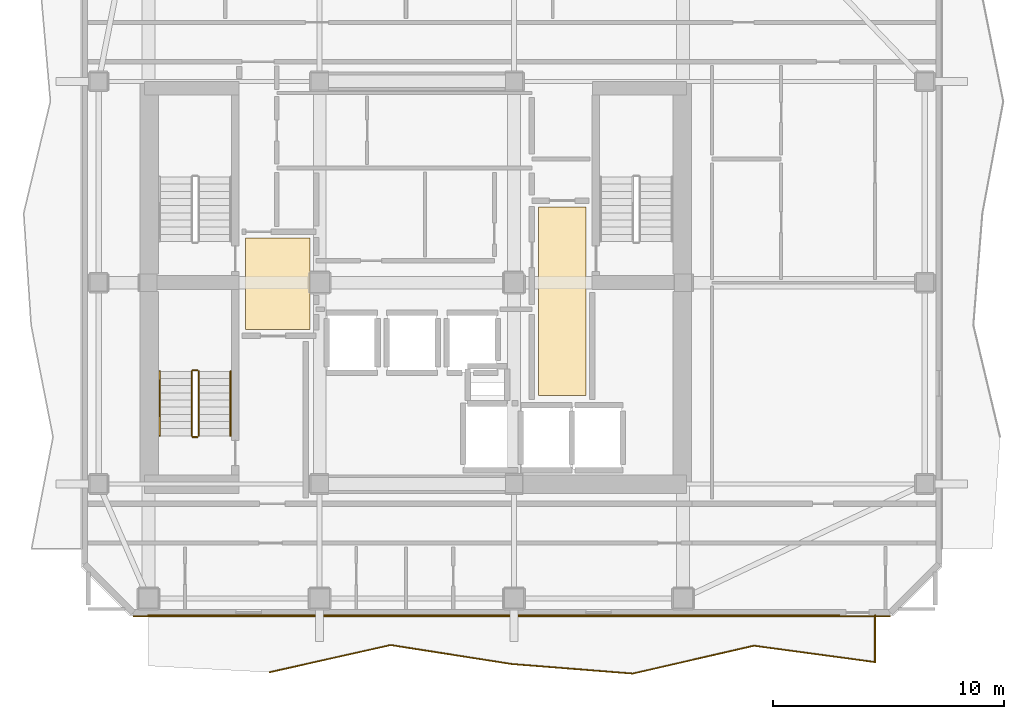
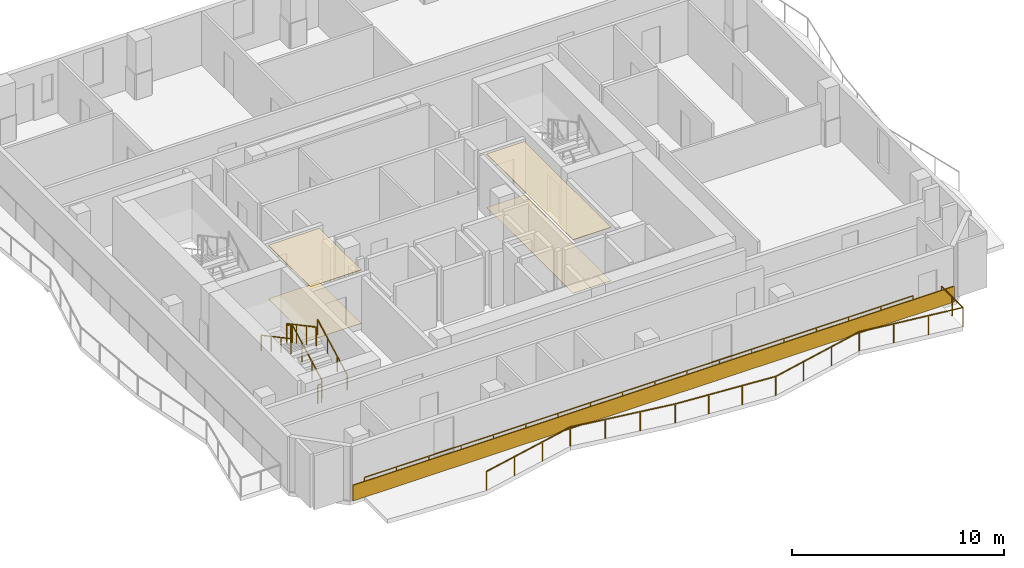
# One storey, part 7 of 9: 8 railings, 5 coverings.
"""IFC4 building model written with IfcOpenShell, lengths in metres."""

from ifc_helpers import new_model, si_unit, direction, frame, frame_2d, origin, origin_2d, place, context, subcontext, project, spatial, polyline, rectangle, outline, extrude, material, layer, layer_set, type_object, element, save


model = new_model("IFC4")

# Units and contexts
model_context = context("Model", 3, precision=1e-05, world=origin(), true_north=direction((0.0, 1.0)))
body_context = subcontext(model_context, "Body", "Model", "MODEL_VIEW")
ifc_project = project(units=[si_unit("LENGTHUNIT", "METRE"), si_unit("AREAUNIT", "SQUARE_METRE"), si_unit("VOLUMEUNIT", "CUBIC_METRE"), si_unit("PLANEANGLEUNIT", "RADIAN"), si_unit("MASSUNIT", "GRAM", prefix="KILO")], contexts=[model_context])

# Site, building, storey
site_placement = place(None, origin())
site = spatial("IfcSite", under=ifc_project, at=site_placement, CompositionType="ELEMENT")
building_placement = place(site_placement, origin())
building = spatial("IfcBuilding", under=site, at=building_placement, Name="Solanera Arch Residences", CompositionType="ELEMENT")
storey_placement = place(building_placement, frame((0.0, 0.0, 237.919921875)))
storey = spatial("IfcBuildingStorey", under=building, at=storey_placement, Name="L69", CompositionType="ELEMENT", Elevation=237.919921875)

# Railings
ifc_material_1 = material(Name="Steel S355 (ASTM A992 / A572 Grade 50)", Category="steel")
railing_type_1 = type_object("IfcRailingType", Name="Balustrade Railing BL-1100", PredefinedType="BALUSTRADE", material=ifc_material_1)
railing_1_placement = place(storey_placement, frame((18.633056640625, 13.864990234375, 0.0)))
element("IfcRailing", 1, at=railing_1_placement, inside=storey, type_object=railing_type_1, Name="L69 S Balcony Balustrade 1", PredefinedType="BALUSTRADE", context=body_context, shape_type="SweptSolid", body=[
    extrude(rectangle(XDim=0.048095703125, YDim=0.048095703125, at=origin_2d()), frame((0.0, 0.0, 1.09619140625), z_axis=(0.975673555349, 0.219228450234, 0.0), x_axis=(-0.219228450234, 0.975673555349, 0.0)), (0.0, 0.0, 1.0), 5.364501953125),
    extrude(rectangle(XDim=0.048095703125, YDim=0.048095703125, at=origin_2d()), frame((5.23388671875, 1.176025390625, 1.09619140625), z_axis=(0.987943173928, -0.154816940575, 0.0), x_axis=(0.154816940575, 0.987943173928, 0.0)), (0.0, 0.0, 1.0), 5.297119140625),
    extrude(rectangle(XDim=0.048095703125, YDim=0.048095703125, at=origin_2d()), frame((10.467041015625, 0.35595703125, 1.09619140625), z_axis=(0.996902372518, -0.078648964819, 0.0), x_axis=(0.078648964819, 0.996902372518, 0.0)), (0.0, 0.0, 1.0), 5.249267578125),
    extrude(rectangle(XDim=0.048095703125, YDim=0.048095703125, at=origin_2d()), frame((15.699951171875, -0.056884765625, 1.09619140625), z_axis=(0.974552604676, 0.224158918447, 0.0), x_axis=(-0.224158918447, 0.974552604676, 0.0)), (0.0, 0.0, 1.0), 5.37060546875),
    extrude(rectangle(XDim=0.048095703125, YDim=0.048095703125, at=origin_2d()), frame((20.933837890625, 1.14697265625, 1.09619140625), z_axis=(0.990971690654, -0.134071280751, 0.0), x_axis=(0.134071280751, 0.990971690654, 0.0)), (0.0, 0.0, 1.0), 5.28076171875),
    extrude(rectangle(XDim=0.048095703125, YDim=0.048095703125, at=origin_2d()), frame((26.1669921875, 0.43896484375, 1.09619140625), z_axis=(0.0, 1.0, 0.0), x_axis=(-1.0, 0.0, 0.0)), (0.0, 0.0, 1.0), 2.01611328125),
    extrude(rectangle(XDim=0.0419921875, YDim=0.0419921875, at=origin_2d()), origin(), (0.0, 0.0, 1.0), 1.072021484375),
    extrude(rectangle(XDim=0.0419921875, YDim=0.0419921875, at=origin_2d()), frame((1.74462890625, 0.39208984375, 0.0)), (0.0, 0.0, 1.0), 1.072021484375),
    extrude(rectangle(XDim=0.0419921875, YDim=0.0419921875, at=origin_2d()), frame((3.4892578125, 0.783935546875, 0.0)), (0.0, 0.0, 1.0), 1.072021484375),
    extrude(rectangle(XDim=0.0419921875, YDim=0.0419921875, at=origin_2d()), frame((5.23388671875, 1.176025390625, 0.0)), (0.0, 0.0, 1.0), 1.072021484375),
    extrude(rectangle(XDim=0.0419921875, YDim=0.0419921875, at=origin_2d()), frame((6.978271484375, 0.902587890625, 0.0)), (0.0, 0.0, 1.0), 1.072021484375),
    extrude(rectangle(XDim=0.0419921875, YDim=0.0419921875, at=origin_2d()), frame((8.72265625, 0.62939453125, 0.0)), (0.0, 0.0, 1.0), 1.072021484375),
    extrude(rectangle(XDim=0.0419921875, YDim=0.0419921875, at=origin_2d()), frame((10.467041015625, 0.35595703125, 0.0)), (0.0, 0.0, 1.0), 1.072021484375),
    extrude(rectangle(XDim=0.0419921875, YDim=0.0419921875, at=origin_2d()), frame((12.21142578125, 0.21826171875, 0.0)), (0.0, 0.0, 1.0), 1.072021484375),
    extrude(rectangle(XDim=0.0419921875, YDim=0.0419921875, at=origin_2d()), frame((13.95556640625, 0.080810546875, 0.0)), (0.0, 0.0, 1.0), 1.072021484375),
    extrude(rectangle(XDim=0.0419921875, YDim=0.0419921875, at=origin_2d()), frame((15.699951171875, -0.056884765625, 0.0)), (0.0, 0.0, 1.0), 1.072021484375),
    extrude(rectangle(XDim=0.0419921875, YDim=0.0419921875, at=origin_2d()), frame((17.444580078125, 0.344482421875, 0.0)), (0.0, 0.0, 1.0), 1.072021484375),
    extrude(rectangle(XDim=0.0419921875, YDim=0.0419921875, at=origin_2d()), frame((19.189208984375, 0.74560546875, 0.0)), (0.0, 0.0, 1.0), 1.072021484375),
    extrude(rectangle(XDim=0.0419921875, YDim=0.0419921875, at=origin_2d()), frame((20.933837890625, 1.14697265625, 0.0)), (0.0, 0.0, 1.0), 1.072021484375),
    extrude(rectangle(XDim=0.0419921875, YDim=0.0419921875, at=origin_2d()), frame((22.67822265625, 0.910888671875, 0.0)), (0.0, 0.0, 1.0), 1.072021484375),
    extrude(rectangle(XDim=0.0419921875, YDim=0.0419921875, at=origin_2d()), frame((24.422607421875, 0.675048828125, 0.0)), (0.0, 0.0, 1.0), 1.072021484375),
    extrude(rectangle(XDim=0.0419921875, YDim=0.0419921875, at=origin_2d()), frame((26.1669921875, 0.43896484375, 0.0)), (0.0, 0.0, 1.0), 1.072021484375),
    extrude(rectangle(XDim=0.0419921875, YDim=0.0419921875, at=origin_2d()), frame((26.1669921875, 1.447021484375, 0.0)), (0.0, 0.0, 1.0), 1.072021484375),
    extrude(rectangle(XDim=0.0419921875, YDim=0.0419921875, at=origin_2d()), frame((26.1669921875, 2.455078125, 0.0)), (0.0, 0.0, 1.0), 1.072021484375),
])
railing_2_placement = place(storey_placement, frame((43.248046875, 16.320068359375, 0.0)))
element("IfcRailing", 2, at=railing_2_placement, inside=storey, type_object=railing_type_1, Name="L69 S Balcony Balustrade 2", PredefinedType="BALUSTRADE", context=body_context, shape_type="SweptSolid", body=[
    extrude(rectangle(XDim=0.048095703125, YDim=0.048095703125, at=origin_2d()), frame((0.0, 0.0, 1.09619140625), z_axis=(-1.0, 0.0, 0.0), x_axis=(0.0, -1.0, 0.0)), (0.0, 0.0, 1.0), 29.84814453125),
    extrude(rectangle(XDim=0.0419921875, YDim=0.0419921875, at=origin_2d()), origin(), (0.0, 0.0, 1.0), 1.072021484375),
    extrude(rectangle(XDim=0.0419921875, YDim=0.0419921875, at=origin_2d()), frame((-1.755859375, 0.0, 0.0)), (0.0, 0.0, 1.0), 1.072021484375),
    extrude(rectangle(XDim=0.0419921875, YDim=0.0419921875, at=origin_2d()), frame((-3.511474609375, 0.0, 0.0)), (0.0, 0.0, 1.0), 1.072021484375),
    extrude(rectangle(XDim=0.0419921875, YDim=0.0419921875, at=origin_2d()), frame((-5.267333984375, 0.0, 0.0)), (0.0, 0.0, 1.0), 1.072021484375),
    extrude(rectangle(XDim=0.0419921875, YDim=0.0419921875, at=origin_2d()), frame((-7.023193359375, 0.0, 0.0)), (0.0, 0.0, 1.0), 1.072021484375),
    extrude(rectangle(XDim=0.0419921875, YDim=0.0419921875, at=origin_2d()), frame((-8.77880859375, 0.0, 0.0)), (0.0, 0.0, 1.0), 1.072021484375),
    extrude(rectangle(XDim=0.0419921875, YDim=0.0419921875, at=origin_2d()), frame((-10.53466796875, 0.0, 0.0)), (0.0, 0.0, 1.0), 1.072021484375),
    extrude(rectangle(XDim=0.0419921875, YDim=0.0419921875, at=origin_2d()), frame((-12.29052734375, 0.0, 0.0)), (0.0, 0.0, 1.0), 1.072021484375),
    extrude(rectangle(XDim=0.0419921875, YDim=0.0419921875, at=origin_2d()), frame((-14.046142578125, 0.0, 0.0)), (0.0, 0.0, 1.0), 1.072021484375),
    extrude(rectangle(XDim=0.0419921875, YDim=0.0419921875, at=origin_2d()), frame((-15.802001953125, 0.0, 0.0)), (0.0, 0.0, 1.0), 1.072021484375),
    extrude(rectangle(XDim=0.0419921875, YDim=0.0419921875, at=origin_2d()), frame((-17.5576171875, 0.0, 0.0)), (0.0, 0.0, 1.0), 1.072021484375),
    extrude(rectangle(XDim=0.0419921875, YDim=0.0419921875, at=origin_2d()), frame((-19.3134765625, 0.0, 0.0)), (0.0, 0.0, 1.0), 1.072021484375),
    extrude(rectangle(XDim=0.0419921875, YDim=0.0419921875, at=origin_2d()), frame((-21.0693359375, 0.0, 0.0)), (0.0, 0.0, 1.0), 1.072021484375),
    extrude(rectangle(XDim=0.0419921875, YDim=0.0419921875, at=origin_2d()), frame((-22.824951171875, 0.0, 0.0)), (0.0, 0.0, 1.0), 1.072021484375),
    extrude(rectangle(XDim=0.0419921875, YDim=0.0419921875, at=origin_2d()), frame((-24.580810546875, 0.0, 0.0)), (0.0, 0.0, 1.0), 1.072021484375),
    extrude(rectangle(XDim=0.0419921875, YDim=0.0419921875, at=origin_2d()), frame((-26.336669921875, 0.0, 0.0)), (0.0, 0.0, 1.0), 1.072021484375),
    extrude(rectangle(XDim=0.0419921875, YDim=0.0419921875, at=origin_2d()), frame((-28.09228515625, 0.0, 0.0)), (0.0, 0.0, 1.0), 1.072021484375),
    extrude(rectangle(XDim=0.0419921875, YDim=0.0419921875, at=origin_2d()), frame((-29.84814453125, 0.0, 0.0)), (0.0, 0.0, 1.0), 1.072021484375),
])

# Coverings
ifc_material_2 = material(Name="Porcelain Acoustic Floor Tile", Category="ceramic")
ifc_layer_1 = layer(ifc_material_2, 0.02001953125)
ifc_layer_set_1 = layer_set([ifc_layer_1], Name="Porcelain Acoustic Floor Tile")
covering_type_1 = type_object("IfcCoveringType", Name="Porcelain Acoustic Floor Finish FLR-20", PredefinedType="FLOORING", material=ifc_layer_set_1)
covering_1_placement = place(storey_placement, origin())
element("IfcCovering", 3, at=covering_1_placement, inside=storey, type_object=covering_type_1, Name="L69-FFL-W Porcelain Floor Finish", PredefinedType="FLOORING", context=body_context, shape_type="SweptSolid", body=[
    extrude(outline(polyline([(20.375, 28.675048828125), (17.594970703125, 28.675048828125), (17.594970703125, 32.625), (20.375, 32.625), (20.375, 28.675048828125)])), origin(), (0.0, 0.0, 1.0), 0.02001953125),
])
covering_2_placement = place(storey_placement, origin())
element("IfcCovering", 4, at=covering_2_placement, inside=storey, type_object=covering_type_1, Name="L69-FFL-E Porcelain Floor Finish", PredefinedType="FLOORING", context=body_context, shape_type="SweptSolid", body=[
    extrude(outline(polyline([(32.304931640625, 25.824951171875), (30.25, 25.824951171875), (30.25, 33.97509765625), (32.304931640625, 33.97509765625), (32.304931640625, 25.824951171875)])), origin(), (0.0, 0.0, 1.0), 0.02001953125),
])
ifc_material_3 = material(Name="Philippine Adobe Travertine Cladding", Category="masonry")
ifc_layer_2 = layer(ifc_material_3, 0.06005859375)
ifc_layer_set_2 = layer_set([ifc_layer_2], Name="Philippine Adobe Travertine Cladding")
covering_type_2 = type_object("IfcCoveringType", Name="Precast Pier Stone Cladding CLD-60", PredefinedType="CLADDING", material=ifc_layer_set_2)
covering_3_placement = place(storey_placement, frame((45.455078125, 16.284912109375, 0.0), z_axis=(0.0, 0.0, 1.0), x_axis=(-1.0, 0.0, 0.0)))
element("IfcCovering", 5, at=covering_3_placement, inside=storey, type_object=covering_type_2, Name="L69 S Precast Spandrel Stone Band", PredefinedType="CLADDING", context=body_context, shape_type="SweptSolid", body=[
    extrude(rectangle(XDim=32.7099609375, YDim=0.06005859375, at=frame_2d((16.35498046875, 0.0))), origin(), (0.0, 0.0, 1.0), 0.900146484375),
])

# Railings
ifc_material_4 = material(Name="Steel S355 (ASTM A992 / A572 Grade 50)", Category="steel")
railing_type_2 = type_object("IfcRailingType", Name="Stair Guardrail GR-1100", PredefinedType="GUARDRAIL", material=ifc_material_4)
railing_3_placement = place(storey_placement, frame((15.570068359375, 24.080078125, 0.151123046875)))
element("IfcRailing", 6, at=railing_3_placement, inside=storey, type_object=railing_type_2, Name="L69 ST-T3 stair guard 1", PredefinedType="GUARDRAIL", context=body_context, shape_type="SweptSolid", body=[
    extrude(rectangle(XDim=0.048095703125, YDim=0.048095703125, at=origin_2d()), frame((0.0, 0.0, 1.076171875), z_axis=(0.0, 0.881580869306, 0.472033018838), x_axis=(-1.0, 0.0, 0.0)), (0.0, 0.0, 1.0), 3.164794921875),
    extrude(rectangle(XDim=0.0419921875, YDim=0.0419921875, at=origin_2d()), origin(), (0.0, 0.0, 1.0), 1.052001953125),
    extrude(rectangle(XDim=0.0419921875, YDim=0.0419921875, at=origin_2d()), frame((0.0, 0.929931640625, 0.498046875)), (0.0, 0.0, 1.0), 1.052001953125),
    extrude(rectangle(XDim=0.0419921875, YDim=0.0419921875, at=origin_2d()), frame((0.0, 1.860107421875, 0.995849609375)), (0.0, 0.0, 1.0), 1.052001953125),
    extrude(rectangle(XDim=0.0419921875, YDim=0.0419921875, at=origin_2d()), frame((0.0, 2.7900390625, 1.493896484375)), (0.0, 0.0, 1.0), 1.052001953125),
])
railing_4_placement = place(storey_placement, frame((15.52001953125, 26.919921875, 1.64501953125)))
element("IfcRailing", 7, at=railing_4_placement, inside=storey, type_object=railing_type_2, Name="L69 ST-T3 stair guard 2", PredefinedType="GUARDRAIL", context=body_context, shape_type="SweptSolid", body=[
    extrude(rectangle(XDim=0.048095703125, YDim=0.048095703125, at=origin_2d()), frame((0.0, 0.0, 1.076171875), z_axis=(-1.0, 0.0, 0.0), x_axis=(0.0, -1.0, 0.0)), (0.0, 0.0, 1.0), 0.199951171875),
    extrude(rectangle(XDim=0.0419921875, YDim=0.0419921875, at=origin_2d()), origin(), (0.0, 0.0, 1.0), 1.052001953125),
    extrude(rectangle(XDim=0.0419921875, YDim=0.0419921875, at=origin_2d()), frame((-0.199951171875, 0.0, 0.0)), (0.0, 0.0, 1.0), 1.052001953125),
])
railing_5_placement = place(storey_placement, frame((15.27001953125, 26.8701171875, 1.81103515625)))
element("IfcRailing", 8, at=railing_5_placement, inside=storey, type_object=railing_type_2, Name="L69 ST-T3 stair guard 3", PredefinedType="GUARDRAIL", context=body_context, shape_type="SweptSolid", body=[
    extrude(rectangle(XDim=0.048095703125, YDim=0.048095703125, at=origin_2d()), frame((0.0, 0.0, 1.076171875), z_axis=(0.0, -0.881548766853, 0.472092969298), x_axis=(1.0, 0.0, 0.0)), (0.0, 0.0, 1.0), 3.1650390625),
    extrude(rectangle(XDim=0.0419921875, YDim=0.0419921875, at=origin_2d()), origin(), (0.0, 0.0, 1.0), 1.052001953125),
    extrude(rectangle(XDim=0.0419921875, YDim=0.0419921875, at=origin_2d()), frame((0.0, -0.929931640625, 0.498046875)), (0.0, 0.0, 1.0), 1.052001953125),
    extrude(rectangle(XDim=0.0419921875, YDim=0.0419921875, at=origin_2d()), frame((0.0, -1.860107421875, 0.99609375)), (0.0, 0.0, 1.0), 1.052001953125),
    extrude(rectangle(XDim=0.0419921875, YDim=0.0419921875, at=origin_2d()), frame((0.0, -2.7900390625, 1.494140625)), (0.0, 0.0, 1.0), 1.052001953125),
])
railing_6_placement = place(storey_placement, frame((15.52001953125, 24.030029296875, -0.014892578125)))
element("IfcRailing", 9, at=railing_6_placement, inside=storey, type_object=railing_type_2, Name="L69 ST-T3 stair guard 4", PredefinedType="GUARDRAIL", context=body_context, shape_type="SweptSolid", body=[
    extrude(rectangle(XDim=0.048095703125, YDim=0.048095703125, at=origin_2d()), frame((0.0, 0.0, 1.076171875), z_axis=(-1.0, 0.0, 0.0), x_axis=(0.0, -1.0, 0.0)), (0.0, 0.0, 1.0), 0.199951171875),
    extrude(rectangle(XDim=0.0419921875, YDim=0.0419921875, at=origin_2d()), origin(), (0.0, 0.0, 1.0), 1.052001953125),
    extrude(rectangle(XDim=0.0419921875, YDim=0.0419921875, at=origin_2d()), frame((-0.199951171875, 0.0, 0.0)), (0.0, 0.0, 1.0), 1.052001953125),
])
ifc_material_5 = material(Name="Steel S355 (ASTM A992 / A572 Grade 50)", Category="steel")
railing_type_3 = type_object("IfcRailingType", Name="Stair Wall Handrail HR-920", PredefinedType="HANDRAIL", material=ifc_material_5)
railing_7_placement = place(storey_placement, frame((16.949951171875, 24.080078125, 0.166015625)))
element("IfcRailing", 10, at=railing_7_placement, inside=storey, type_object=railing_type_3, Name="L69 ST-T3 stair handrail 1", PredefinedType="HANDRAIL", context=body_context, shape_type="SweptSolid", body=[
    extrude(rectangle(XDim=0.048095703125, YDim=0.048095703125, at=origin_2d()), frame((0.0, 0.0, 0.8759765625), z_axis=(0.0, 0.881548766853, 0.472092969298), x_axis=(-1.0, 0.0, 0.0)), (0.0, 0.0, 1.0), 3.1650390625),
    extrude(rectangle(XDim=0.0419921875, YDim=0.0419921875, at=origin_2d()), origin(), (0.0, 0.0, 1.0), 0.851806640625),
    extrude(rectangle(XDim=0.0419921875, YDim=0.0419921875, at=origin_2d()), frame((0.0, 0.929931640625, 0.498046875)), (0.0, 0.0, 1.0), 0.851806640625),
    extrude(rectangle(XDim=0.0419921875, YDim=0.0419921875, at=origin_2d()), frame((0.0, 1.860107421875, 0.99609375)), (0.0, 0.0, 1.0), 0.851806640625),
    extrude(rectangle(XDim=0.0419921875, YDim=0.0419921875, at=origin_2d()), frame((0.0, 2.7900390625, 1.494140625)), (0.0, 0.0, 1.0), 0.851806640625),
])
railing_8_placement = place(storey_placement, frame((13.889892578125, 26.8701171875, 1.826171875)))
element("IfcRailing", 11, at=railing_8_placement, inside=storey, type_object=railing_type_3, Name="L69 ST-T3 stair handrail 2", PredefinedType="HANDRAIL", context=body_context, shape_type="SweptSolid", body=[
    extrude(rectangle(XDim=0.048095703125, YDim=0.048095703125, at=origin_2d()), frame((0.0, 0.0, 0.8759765625), z_axis=(0.0, -0.881580869306, 0.472033018838), x_axis=(1.0, 0.0, 0.0)), (0.0, 0.0, 1.0), 3.164794921875),
    extrude(rectangle(XDim=0.0419921875, YDim=0.0419921875, at=origin_2d()), origin(), (0.0, 0.0, 1.0), 0.851806640625),
    extrude(rectangle(XDim=0.0419921875, YDim=0.0419921875, at=origin_2d()), frame((0.0, -0.929931640625, 0.498046875)), (0.0, 0.0, 1.0), 0.851806640625),
    extrude(rectangle(XDim=0.0419921875, YDim=0.0419921875, at=origin_2d()), frame((0.0, -1.860107421875, 0.995849609375)), (0.0, 0.0, 1.0), 0.851806640625),
    extrude(rectangle(XDim=0.0419921875, YDim=0.0419921875, at=origin_2d()), frame((0.0, -2.7900390625, 1.493896484375)), (0.0, 0.0, 1.0), 0.851806640625),
])

# Coverings
ifc_material_6 = material(Name="Mineral Fibre Acoustic Ceiling Board", Category="gypsum")
ifc_layer_3 = layer(ifc_material_6, 0.02490234375)
ifc_layer_set_3 = layer_set([ifc_layer_3], Name="Mineral Fibre Acoustic Ceiling Board")
covering_type_3 = type_object("IfcCoveringType", Name="Suspended Acoustic Ceiling Board CLG-25", PredefinedType="CEILING", material=ifc_layer_set_3)
covering_4_placement = place(storey_placement, frame((0.0, 0.0, 3.0751953125)))
element("IfcCovering", 12, at=covering_4_placement, inside=storey, type_object=covering_type_3, Name="L69-FFL-W Acoustic Ceiling", PredefinedType="CEILING", context=body_context, shape_type="SweptSolid", body=[
    extrude(outline(polyline([(20.375, 28.675048828125), (17.594970703125, 28.675048828125), (17.594970703125, 32.625), (20.375, 32.625), (20.375, 28.675048828125)])), origin(), (0.0, 0.0, 1.0), 0.02490234375),
])
covering_5_placement = place(storey_placement, frame((0.0, 0.0, 3.0751953125)))
element("IfcCovering", 13, at=covering_5_placement, inside=storey, type_object=covering_type_3, Name="L69-FFL-E Acoustic Ceiling", PredefinedType="CEILING", context=body_context, shape_type="SweptSolid", body=[
    extrude(outline(polyline([(32.304931640625, 25.824951171875), (30.25, 25.824951171875), (30.25, 33.97509765625), (32.304931640625, 33.97509765625), (32.304931640625, 25.824951171875)])), origin(), (0.0, 0.0, 1.0), 0.02490234375),
])

save(model, "model.ifc")
